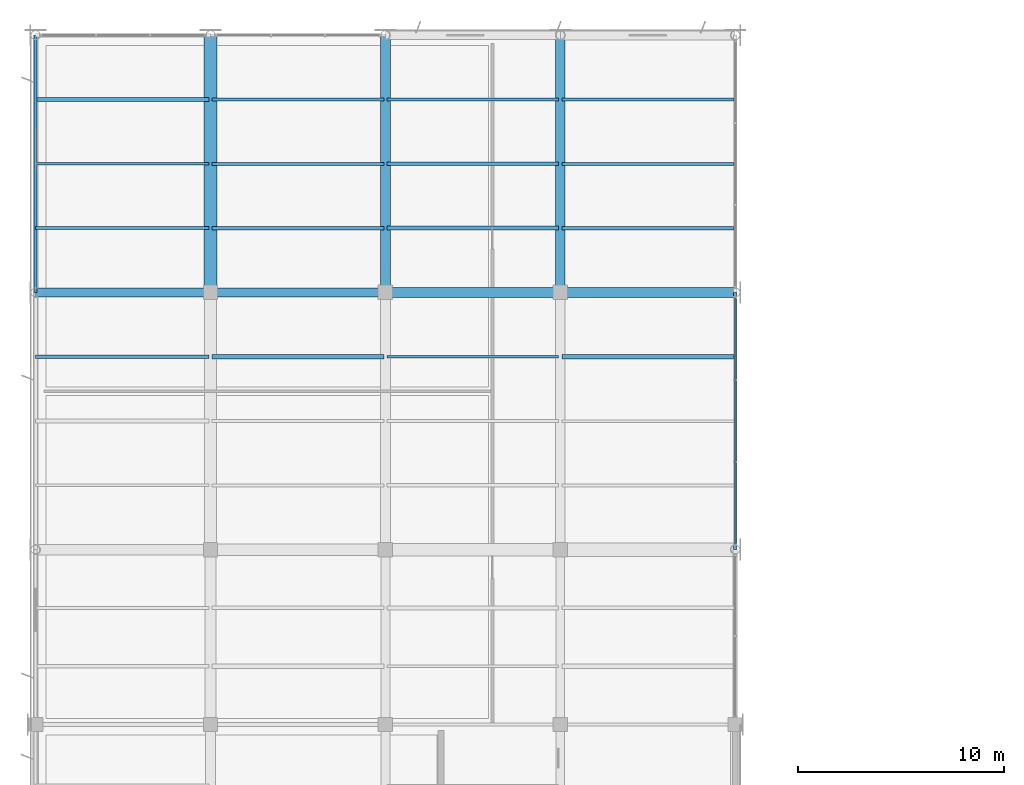
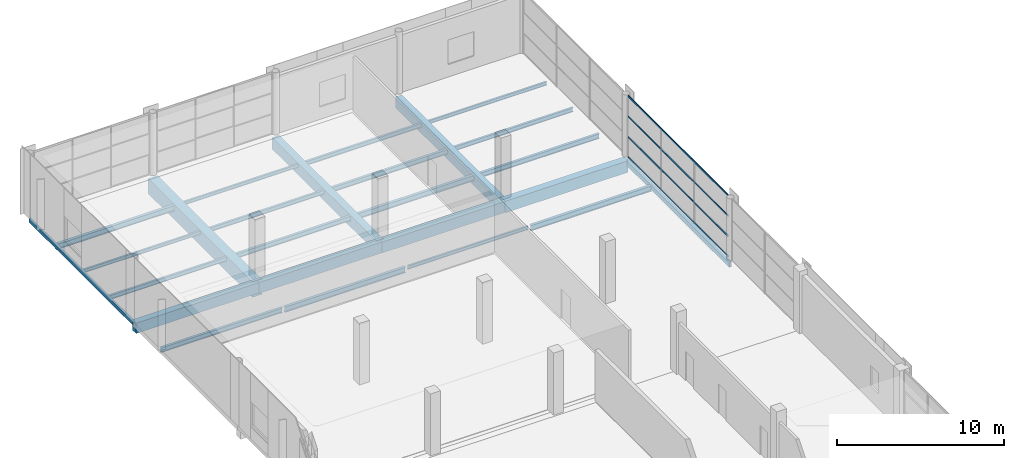
# One storey, part 43 of 112: 25 beams, 4 members, 1 element without a shape of its own.
"""IFC4 building model written with IfcOpenShell, lengths in metres."""

from ifc_helpers import new_model, si_unit, direction, frame, origin, origin_2d, place, context, subcontext, project, spatial, rectangle, hollow_rectangle, i_section, extrude, material, material_profile, profile_set, type_object, element, aggregate, save


model = new_model("IFC4")

# Units and contexts
model_context = context("Model", 3, precision=1e-05, world=origin(), true_north=direction((0.0, 1.0)))
body_context = subcontext(model_context, "Body", "Model", "MODEL_VIEW")
ifc_project = project(units=[si_unit("LENGTHUNIT", "METRE"), si_unit("AREAUNIT", "SQUARE_METRE"), si_unit("VOLUMEUNIT", "CUBIC_METRE"), si_unit("PLANEANGLEUNIT", "RADIAN"), si_unit("MASSUNIT", "GRAM", prefix="KILO")], contexts=[model_context])

# Site, building, storey
site_placement = place(None, origin())
site = spatial("IfcSite", under=ifc_project, at=site_placement, CompositionType="ELEMENT")
building_placement = place(site_placement, origin())
building = spatial("IfcBuilding", under=site, at=building_placement, Name="Solvikara Media Centre", CompositionType="ELEMENT")
storey_placement = place(building_placement, frame((0.0, 0.0, 5.39990234375)))
storey = spatial("IfcBuildingStorey", under=building, at=storey_placement, Name="L01", CompositionType="ELEMENT", Elevation=5.39990234375)

# Beams
ifc_material_1 = material(Name="Concrete fc' 35 MPa (C35/45)", Category="concrete")
ifc_material_profile_1 = material_profile(ifc_material_1, rectangle(XDim=0.449951171875, YDim=0.75, at=origin_2d()), Name="RC 450x750")
ifc_profile_set_1 = profile_set([ifc_material_profile_1], Name="Concrete fc' 35 MPa (C35/45)")
beam_type_1 = type_object("IfcBeamType", Name="BM-05", PredefinedType="BEAM", material=ifc_profile_set_1)
beam_1_placement = place(storey_placement, frame((0.0, 101.5, -0.635009765625), z_axis=(1.0, 0.0, 0.0), x_axis=(0.0, 1.0, 0.0)))
element("IfcBeam", 1, at=beam_1_placement, inside=storey, type_object=beam_type_1, Name="B-L01-X0521", PredefinedType="BEAM", context=body_context, shape_type="SweptSolid", body=[
    extrude(rectangle(XDim=0.449951171875, YDim=0.75, at=origin_2d()), origin(), (0.0, 0.0, 1.0), 8.5),
])
ifc_material_profile_2 = material_profile(ifc_material_1, rectangle(XDim=0.449951171875, YDim=0.800048828125, at=origin_2d()), Name="RC 450x800")
ifc_profile_set_2 = profile_set([ifc_material_profile_2], Name="Concrete fc' 35 MPa (C35/45)")
beam_type_2 = type_object("IfcBeamType", Name="BM-06", PredefinedType="BEAM", material=ifc_profile_set_2)
beam_2_placement = place(storey_placement, frame((8.5, 101.5, -0.659912109375), z_axis=(1.0, 0.0, 0.0), x_axis=(0.0, 1.0, 0.0)))
element("IfcBeam", 2, at=beam_2_placement, inside=storey, type_object=beam_type_2, Name="B-L01-X0522", PredefinedType="BEAM", context=body_context, shape_type="SweptSolid", body=[
    extrude(rectangle(XDim=0.449951171875, YDim=0.800048828125, at=origin_2d()), origin(), (0.0, 0.0, 1.0), 8.5),
])
beam_3_placement = place(storey_placement, frame((25.5, 101.5, -0.659912109375), z_axis=(0.0, 1.0, 0.0), x_axis=(-1.0, 0.0, 0.0)))
element("IfcBeam", 3, at=beam_3_placement, inside=storey, type_object=beam_type_2, Name="B-L01-Y0570", PredefinedType="BEAM", context=body_context, shape_type="SweptSolid", body=[
    extrude(rectangle(XDim=0.449951171875, YDim=0.800048828125, at=origin_2d()), origin(), (0.0, 0.0, 1.0), 12.5),
])
ifc_material_profile_3 = material_profile(ifc_material_1, rectangle(XDim=0.5, YDim=0.800048828125, at=origin_2d()), Name="RC 500x800")
ifc_profile_set_3 = profile_set([ifc_material_profile_3], Name="Concrete fc' 35 MPa (C35/45)")
beam_type_3 = type_object("IfcBeamType", Name="BM-07", PredefinedType="BEAM", material=ifc_profile_set_3)
beam_4_placement = place(storey_placement, frame((17.0, 101.5, -0.659912109375), z_axis=(1.0, 0.0, 0.0), x_axis=(0.0, 1.0, 0.0)))
element("IfcBeam", 4, at=beam_4_placement, inside=storey, type_object=beam_type_3, Name="B-L01-X0523", PredefinedType="BEAM", context=body_context, shape_type="SweptSolid", body=[
    extrude(rectangle(XDim=0.5, YDim=0.800048828125, at=origin_2d()), origin(), (0.0, 0.0, 1.0), 8.5),
])
ifc_material_profile_4 = material_profile(ifc_material_1, rectangle(XDim=0.5, YDim=0.85009765625, at=origin_2d()), Name="RC 500x850")
ifc_profile_set_4 = profile_set([ifc_material_profile_4], Name="Concrete fc' 35 MPa (C35/45)")
beam_type_4 = type_object("IfcBeamType", Name="BM-08", PredefinedType="BEAM", material=ifc_profile_set_4)
beam_5_placement = place(storey_placement, frame((25.5, 101.5, -0.684814453125), z_axis=(1.0, 0.0, 0.0), x_axis=(0.0, 1.0, 0.0)))
element("IfcBeam", 5, at=beam_5_placement, inside=storey, type_object=beam_type_4, Name="B-L01-X0524", PredefinedType="BEAM", context=body_context, shape_type="SweptSolid", body=[
    extrude(rectangle(XDim=0.5, YDim=0.85009765625, at=origin_2d()), origin(), (0.0, 0.0, 1.0), 8.5),
])
beam_6_placement = place(storey_placement, frame((17.0, 101.5, -0.684814453125), z_axis=(0.0, 1.0, 0.0), x_axis=(-1.0, 0.0, 0.0)))
element("IfcBeam", 6, at=beam_6_placement, inside=storey, type_object=beam_type_4, Name="B-L01-Y0560", PredefinedType="BEAM", context=body_context, shape_type="SweptSolid", body=[
    extrude(rectangle(XDim=0.5, YDim=0.85009765625, at=origin_2d()), origin(), (0.0, 0.0, 1.0), 12.5),
])
ifc_material_2 = material(Name="Concrete fc' 45 MPa (C45/55)", Category="concrete")
ifc_material_profile_5 = material_profile(ifc_material_2, rectangle(XDim=0.64990234375, YDim=1.10009765625, at=origin_2d()), Name="RC 650x1100")
ifc_profile_set_5 = profile_set([ifc_material_profile_5], Name="Concrete fc' 45 MPa (C45/55)")
beam_type_5 = type_object("IfcBeamType", Name="BM-12", PredefinedType="BEAM", material=ifc_profile_set_5)
beam_7_placement = place(storey_placement, frame((8.5, 101.5, -0.809814453125), z_axis=(0.0, 1.0, 0.0), x_axis=(-1.0, 0.0, 0.0)))
element("IfcBeam", 7, at=beam_7_placement, inside=storey, type_object=beam_type_5, Name="B-L01-Y0552", PredefinedType="BEAM", context=body_context, shape_type="SweptSolid", body=[
    extrude(rectangle(XDim=0.64990234375, YDim=1.10009765625, at=origin_2d()), origin(), (0.0, 0.0, 1.0), 12.5),
])
ifc_material_3 = material(Name="Steel S355JR", Category="steel")
ifc_material_profile_6 = material_profile(ifc_material_3, i_section(OverallWidth=0.199951171875, OverallDepth=0.39990234375, WebThickness=0.008056640625, FlangeThickness=0.012939453125, at=origin_2d()), Name="WF 400x200x8x13")
ifc_profile_set_6 = profile_set([ifc_material_profile_6], Name="Steel S355JR")
beam_type_6 = type_object("IfcBeamType", Name="BM-21", PredefinedType="JOIST", material=ifc_profile_set_6)
beam_8_placement = place(storey_placement, frame((0.0, 110.875, -0.4619140625), z_axis=(1.0, 0.0, 0.0), x_axis=(0.0, 1.0, 0.0)))
element("IfcBeam", 8, at=beam_8_placement, inside=storey, type_object=beam_type_6, Name="J-L01-0665", PredefinedType="JOIST", context=body_context, shape_type="SweptSolid", body=[
    extrude(i_section(OverallWidth=0.199951171875, OverallDepth=0.39990234375, WebThickness=0.008056640625, FlangeThickness=0.012939453125, at=origin_2d()), origin(), (0.0, 0.0, 1.0), 8.422119140625),
])
beam_9_placement = place(storey_placement, frame((25.577880859375, 98.375, -0.4619140625), z_axis=(1.0, 0.0, 0.0), x_axis=(0.0, 1.0, 0.0)))
element("IfcBeam", 9, at=beam_9_placement, inside=storey, type_object=beam_type_6, Name="J-L01-0729", PredefinedType="JOIST", context=body_context, shape_type="SweptSolid", body=[
    extrude(i_section(OverallWidth=0.199951171875, OverallDepth=0.39990234375, WebThickness=0.008056640625, FlangeThickness=0.012939453125, at=origin_2d()), origin(), (0.0, 0.0, 1.0), 8.34423828125),
])
ifc_material_profile_7 = material_profile(ifc_material_3, i_section(OverallWidth=0.175048828125, OverallDepth=0.35009765625, WebThickness=0.007080078125, FlangeThickness=0.010986328125, at=origin_2d()), Name="WF 350x175x7x11")
ifc_profile_set_7 = profile_set([ifc_material_profile_7], Name="Steel S355JR")
beam_type_7 = type_object("IfcBeamType", Name="BM-22", PredefinedType="JOIST", material=ifc_profile_set_7)
beam_10_placement = place(storey_placement, frame((25.577880859375, 104.625, -0.43701171875), z_axis=(1.0, 0.0, 0.0), x_axis=(0.0, 1.0, 0.0)))
element("IfcBeam", 10, at=beam_10_placement, inside=storey, type_object=beam_type_7, Name="J-L01-0730", PredefinedType="JOIST", context=body_context, shape_type="SweptSolid", body=[
    extrude(i_section(OverallWidth=0.175048828125, OverallDepth=0.35009765625, WebThickness=0.007080078125, FlangeThickness=0.010986328125, at=origin_2d()), origin(), (0.0, 0.0, 1.0), 8.34423828125),
])
ifc_material_profile_8 = material_profile(ifc_material_3, i_section(OverallWidth=0.14990234375, OverallDepth=0.300048828125, WebThickness=0.006591796875, FlangeThickness=0.009033203125, at=origin_2d()), Name="WF 300x150x6.5x9")
ifc_profile_set_8 = profile_set([ifc_material_profile_8], Name="Steel S355JR")
beam_type_8 = type_object("IfcBeamType", Name="BM-23", PredefinedType="JOIST", material=ifc_profile_set_8)
beam_11_placement = place(storey_placement, frame((25.577880859375, 107.75, -0.411865234375), z_axis=(1.0, 0.0, 0.0), x_axis=(0.0, 1.0, 0.0)))
element("IfcBeam", 11, at=beam_11_placement, inside=storey, type_object=beam_type_8, Name="J-L01-0731", PredefinedType="JOIST", context=body_context, shape_type="SweptSolid", body=[
    extrude(i_section(OverallWidth=0.14990234375, OverallDepth=0.300048828125, WebThickness=0.006591796875, FlangeThickness=0.009033203125, at=origin_2d()), origin(), (0.0, 0.0, 1.0), 8.34423828125),
])
ifc_material_profile_9 = material_profile(ifc_material_3, i_section(OverallWidth=0.125, OverallDepth=0.25, WebThickness=0.006103515625, FlangeThickness=0.009033203125, at=origin_2d()), Name="WF 250x125x6x9")
ifc_profile_set_9 = profile_set([ifc_material_profile_9], Name="Steel S355JR")
beam_type_9 = type_object("IfcBeamType", Name="BM-24", PredefinedType="JOIST", material=ifc_profile_set_9)
for number, where, z_axis, x_axis, name in (
    (12, (17.077880859375, 98.375, -0.386962890625), (1.0, 0.0, 0.0), (0.0, 1.0, 0.0), "J-L01-0708"),
    (13, (25.577880859375, 110.875, -0.386962890625), (1.0, 0.0, 0.0), (0.0, 1.0, 0.0), "J-L01-0732"),
):
    element("IfcBeam", number, at=place(storey_placement, frame(where, z_axis=z_axis, x_axis=x_axis)), inside=storey, type_object=beam_type_9, Name=name, PredefinedType="JOIST", context=body_context, shape_type="SweptSolid", body=[
        extrude(i_section(OverallWidth=0.125, OverallDepth=0.25, WebThickness=0.006103515625, FlangeThickness=0.009033203125, at=origin_2d()), origin(), (0.0, 0.0, 1.0), 8.34423828125),
    ])
ifc_material_profile_10 = material_profile(ifc_material_3, hollow_rectangle(XDim=0.175048828125, YDim=0.35009765625, WallThickness=0.010009765625, at=origin_2d()), Name="RHS 350x175x10")
ifc_profile_set_10 = profile_set([ifc_material_profile_10], Name="Steel S355JR")
beam_type_10 = type_object("IfcBeamType", Name="BM-34", PredefinedType="SPANDREL", material=ifc_profile_set_10)
beam_12_placement = place(storey_placement, frame((34.0, 89.0, -0.43701171875), z_axis=(0.0, 1.0, 0.0), x_axis=(-1.0, 0.0, 0.0)))
element("IfcBeam", 14, at=beam_12_placement, inside=storey, type_object=beam_type_10, Name="B-L01-Y0580", PredefinedType="SPANDREL", context=body_context, shape_type="SweptSolid", body=[
    extrude(hollow_rectangle(XDim=0.175048828125, YDim=0.35009765625, WallThickness=0.010009765625, at=origin_2d()), origin(), (0.0, 0.0, 1.0), 12.5),
])
ifc_material_profile_11 = material_profile(ifc_material_3, i_section(OverallWidth=0.198974609375, OverallDepth=0.39599609375, WebThickness=0.007080078125, FlangeThickness=0.010986328125, at=origin_2d()), Name="WF 396x199x7x11")
ifc_profile_set_11 = profile_set([ifc_material_profile_11], Name="Steel S355JR")
beam_type_11 = type_object("IfcBeamType", Name="BM-37", PredefinedType="JOIST", material=ifc_profile_set_11)
for number, where, z_axis, x_axis, name in (
    (15, (8.577880859375, 98.375, -0.4599609375), (1.0, 0.0, 0.0), (0.0, 1.0, 0.0), "J-L01-0685"),
    (16, (17.077880859375, 104.625, -0.4599609375), (1.0, 0.0, 0.0), (0.0, 1.0, 0.0), "J-L01-0709"),
):
    element("IfcBeam", number, at=place(storey_placement, frame(where, z_axis=z_axis, x_axis=x_axis)), inside=storey, type_object=beam_type_11, Name=name, PredefinedType="JOIST", context=body_context, shape_type="SweptSolid", body=[
        extrude(i_section(OverallWidth=0.198974609375, OverallDepth=0.39599609375, WebThickness=0.007080078125, FlangeThickness=0.010986328125, at=origin_2d()), origin(), (0.0, 0.0, 1.0), 8.34423828125),
    ])
ifc_material_profile_12 = material_profile(ifc_material_3, i_section(OverallWidth=0.174072265625, OverallDepth=0.345947265625, WebThickness=0.006103515625, FlangeThickness=0.009033203125, at=origin_2d()), Name="WF 346x174x6x9")
ifc_profile_set_12 = profile_set([ifc_material_profile_12], Name="Steel S355JR")
beam_type_12 = type_object("IfcBeamType", Name="BM-38", PredefinedType="JOIST", material=ifc_profile_set_12)
beam_13_placement = place(storey_placement, frame((0.0, 98.375, -0.434814453125), z_axis=(1.0, 0.0, 0.0), x_axis=(0.0, 1.0, 0.0)))
element("IfcBeam", 17, at=beam_13_placement, inside=storey, type_object=beam_type_12, Name="J-L01-0662", PredefinedType="JOIST", context=body_context, shape_type="SweptSolid", body=[
    extrude(i_section(OverallWidth=0.174072265625, OverallDepth=0.345947265625, WebThickness=0.006103515625, FlangeThickness=0.009033203125, at=origin_2d()), origin(), (0.0, 0.0, 1.0), 8.422119140625),
])
for number, where, z_axis, x_axis, name in (
    (18, (8.577880859375, 104.625, -0.434814453125), (1.0, 0.0, 0.0), (0.0, 1.0, 0.0), "J-L01-0686"),
    (19, (17.077880859375, 107.75, -0.434814453125), (1.0, 0.0, 0.0), (0.0, 1.0, 0.0), "J-L01-0710"),
):
    element("IfcBeam", number, at=place(storey_placement, frame(where, z_axis=z_axis, x_axis=x_axis)), inside=storey, type_object=beam_type_12, Name=name, PredefinedType="JOIST", context=body_context, shape_type="SweptSolid", body=[
        extrude(i_section(OverallWidth=0.174072265625, OverallDepth=0.345947265625, WebThickness=0.006103515625, FlangeThickness=0.009033203125, at=origin_2d()), origin(), (0.0, 0.0, 1.0), 8.34423828125),
    ])
ifc_material_profile_13 = material_profile(ifc_material_3, i_section(OverallWidth=0.14892578125, OverallDepth=0.298095703125, WebThickness=0.005615234375, FlangeThickness=0.008056640625, at=origin_2d()), Name="WF 298x149x5.5x8")
ifc_profile_set_13 = profile_set([ifc_material_profile_13], Name="Steel S355JR")
beam_type_13 = type_object("IfcBeamType", Name="BM-39", PredefinedType="JOIST", material=ifc_profile_set_13)
beam_14_placement = place(storey_placement, frame((0.0, 104.625, -0.410888671875), z_axis=(1.0, 0.0, 0.0), x_axis=(0.0, 1.0, 0.0)))
element("IfcBeam", 20, at=beam_14_placement, inside=storey, type_object=beam_type_13, Name="J-L01-0663", PredefinedType="JOIST", context=body_context, shape_type="SweptSolid", body=[
    extrude(i_section(OverallWidth=0.14892578125, OverallDepth=0.298095703125, WebThickness=0.005615234375, FlangeThickness=0.008056640625, at=origin_2d()), origin(), (0.0, 0.0, 1.0), 8.422119140625),
])
for number, where, z_axis, x_axis, name in (
    (21, (8.577880859375, 107.75, -0.410888671875), (1.0, 0.0, 0.0), (0.0, 1.0, 0.0), "J-L01-0687"),
    (22, (17.077880859375, 110.875, -0.410888671875), (1.0, 0.0, 0.0), (0.0, 1.0, 0.0), "J-L01-0711"),
):
    element("IfcBeam", number, at=place(storey_placement, frame(where, z_axis=z_axis, x_axis=x_axis)), inside=storey, type_object=beam_type_13, Name=name, PredefinedType="JOIST", context=body_context, shape_type="SweptSolid", body=[
        extrude(i_section(OverallWidth=0.14892578125, OverallDepth=0.298095703125, WebThickness=0.005615234375, FlangeThickness=0.008056640625, at=origin_2d()), origin(), (0.0, 0.0, 1.0), 8.34423828125),
    ])
ifc_material_profile_14 = material_profile(ifc_material_3, i_section(OverallWidth=0.1240234375, OverallDepth=0.248046875, WebThickness=0.0048828125, FlangeThickness=0.008056640625, at=origin_2d()), Name="WF 248x124x5x8")
ifc_profile_set_14 = profile_set([ifc_material_profile_14], Name="Steel S355JR")
beam_type_14 = type_object("IfcBeamType", Name="BM-40", PredefinedType="JOIST", material=ifc_profile_set_14)
beam_15_placement = place(storey_placement, frame((0.0, 107.75, -0.385986328125), z_axis=(1.0, 0.0, 0.0), x_axis=(0.0, 1.0, 0.0)))
element("IfcBeam", 23, at=beam_15_placement, inside=storey, type_object=beam_type_14, Name="J-L01-0664", PredefinedType="JOIST", context=body_context, shape_type="SweptSolid", body=[
    extrude(i_section(OverallWidth=0.1240234375, OverallDepth=0.248046875, WebThickness=0.0048828125, FlangeThickness=0.008056640625, at=origin_2d()), origin(), (0.0, 0.0, 1.0), 8.422119140625),
])
beam_16_placement = place(storey_placement, frame((8.577880859375, 110.875, -0.385986328125), z_axis=(1.0, 0.0, 0.0), x_axis=(0.0, 1.0, 0.0)))
element("IfcBeam", 24, at=beam_16_placement, inside=storey, type_object=beam_type_14, Name="J-L01-0688", PredefinedType="JOIST", context=body_context, shape_type="SweptSolid", body=[
    extrude(i_section(OverallWidth=0.1240234375, OverallDepth=0.248046875, WebThickness=0.0048828125, FlangeThickness=0.008056640625, at=origin_2d()), origin(), (0.0, 0.0, 1.0), 8.34423828125),
])
ifc_material_profile_15 = material_profile(ifc_material_3, hollow_rectangle(XDim=0.139892578125, YDim=0.280029296875, WallThickness=0.008056640625, at=origin_2d()), Name="RHS 280x140x8")
ifc_profile_set_15 = profile_set([ifc_material_profile_15], Name="Steel S355JR")
beam_type_15 = type_object("IfcBeamType", Name="BM-46", PredefinedType="SPANDREL", material=ifc_profile_set_15)
beam_17_placement = place(storey_placement, frame((0.0, 101.5, -0.40185546875), z_axis=(0.0, 1.0, 0.0), x_axis=(-1.0, 0.0, 0.0)))
element("IfcBeam", 25, at=beam_17_placement, inside=storey, type_object=beam_type_15, Name="B-L01-Y0544", PredefinedType="SPANDREL", context=body_context, shape_type="SweptSolid", body=[
    extrude(hollow_rectangle(XDim=0.139892578125, YDim=0.280029296875, WallThickness=0.008056640625, at=origin_2d()), origin(), (0.0, 0.0, 1.0), 12.5),
])

# Curtain wall, members
ifc_material_4 = material(Name="Anodised aluminium EN AW-6063", Category="aluminium")
curtain_wall_type = type_object("IfcCurtainWallType", Name="CW-08", PredefinedType="NOTDEFINED", material=ifc_material_4)
curtain_wall_placement = place(storey_placement, origin())
curtain_wall = element("IfcCurtainWall", 26, at=curtain_wall_placement, inside=storey, type_object=curtain_wall_type, Name="CW-L01-V3E-S2", PredefinedType="NOTDEFINED")
ifc_material_profile_16 = material_profile(ifc_material_4, hollow_rectangle(XDim=0.054931640625, YDim=0.1201171875, WallThickness=0.0029296875, at=origin_2d()), Name="ALU-T 55x120x3")
ifc_profile_set_16 = profile_set([ifc_material_profile_16], Name="Anodised aluminium EN AW-6063")
member_type = type_object("IfcMemberType", Name="MF-11", PredefinedType="USERDEFINED", material=ifc_profile_set_16)
member_1_placement = place(storey_placement, frame((34.0, 89.26904296875, 0.02001953125), z_axis=(0.0, 1.0, 0.0), x_axis=(-1.0, 0.0, 0.0)))
member_1 = element("IfcMember", 27, at=member_1_placement, type_object=member_type, Name="CW-L01-V3E-S2-T00", ObjectType="TRANSOM", PredefinedType="USERDEFINED", context=body_context, shape_type="SweptSolid", body=[
    extrude(hollow_rectangle(XDim=0.054931640625, YDim=0.1201171875, WallThickness=0.0029296875, at=origin_2d()), origin(), (0.0, 0.0, 1.0), 11.9619140625),
])
member_2_placement = place(storey_placement, frame((34.0, 89.26904296875, 1.507080078125), z_axis=(0.0, 1.0, 0.0), x_axis=(-1.0, 0.0, 0.0)))
member_2 = element("IfcMember", 28, at=member_2_placement, type_object=member_type, Name="CW-L01-V3E-S2-T01", ObjectType="TRANSOM", PredefinedType="USERDEFINED", context=body_context, shape_type="SweptSolid", body=[
    extrude(hollow_rectangle(XDim=0.054931640625, YDim=0.1201171875, WallThickness=0.0029296875, at=origin_2d()), origin(), (0.0, 0.0, 1.0), 11.9619140625),
])
member_3_placement = place(storey_placement, frame((34.0, 89.26904296875, 2.9931640625), z_axis=(0.0, 1.0, 0.0), x_axis=(-1.0, 0.0, 0.0)))
member_3 = element("IfcMember", 29, at=member_3_placement, type_object=member_type, Name="CW-L01-V3E-S2-T02", ObjectType="TRANSOM", PredefinedType="USERDEFINED", context=body_context, shape_type="SweptSolid", body=[
    extrude(hollow_rectangle(XDim=0.054931640625, YDim=0.1201171875, WallThickness=0.0029296875, at=origin_2d()), origin(), (0.0, 0.0, 1.0), 11.9619140625),
])
member_4_placement = place(storey_placement, frame((34.0, 89.26904296875, 4.47998046875), z_axis=(0.0, 1.0, 0.0), x_axis=(-1.0, 0.0, 0.0)))
member_4 = element("IfcMember", 30, at=member_4_placement, type_object=member_type, Name="CW-L01-V3E-S2-T03", ObjectType="TRANSOM", PredefinedType="USERDEFINED", context=body_context, shape_type="SweptSolid", body=[
    extrude(hollow_rectangle(XDim=0.054931640625, YDim=0.1201171875, WallThickness=0.0029296875, at=origin_2d()), origin(), (0.0, 0.0, 1.0), 11.9619140625),
])
aggregate(curtain_wall, [member_1, member_2, member_3, member_4])

save(model, "model.ifc")
